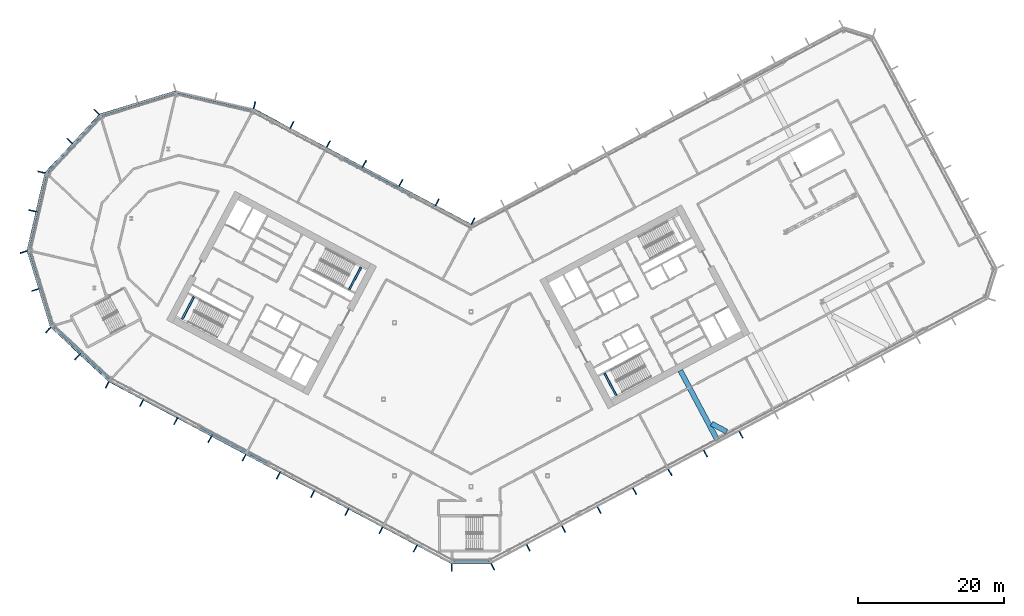
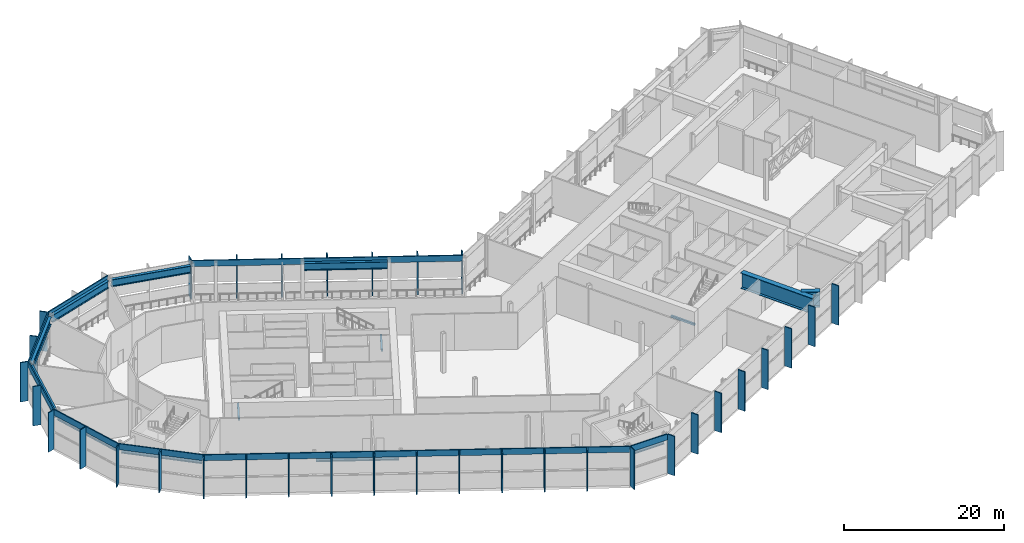
# One storey, part 7 of 33: 42 members, 14 beams, 10 elements without a shape of their own.
"""IFC4 building model written with IfcOpenShell, lengths in metres."""

import ifcopenshell
import ifcopenshell.guid

model = None  # the IFC model being written
_history = None  # IfcOwnerHistory: only IFC2X3 demands one
_inside = {}  # id of a spatial element -> (the spatial element, [elements in it])
_under = {}  # id of a project, library or spatial element -> (it, [spatial elements below it])
_declared = {}  # id of a project -> (the project, [libraries it declares])
_typed = {}  # id of a type object -> (the type object, [elements of that type])
_made_of = {}  # id of a material, layer set ... -> (it, [elements and type objects made of it])


def new_model(schema):
    """Start an empty IFC model of exactly this schema.

    Asked for "IFC4X3", IfcOpenShell would pick the latest addendum, in which some entities
    have other attributes; the version numbers below select the first issue.
    IFC2X3 requires an IfcOwnerHistory on every rooted entity: one is made here for all.
    """
    global model, _history
    if schema == "IFC4X3":
        model = ifcopenshell.file(schema_version=(4, 3, 0, 0))
    else:
        model = ifcopenshell.file(schema=schema)
    _inside.clear()
    _under.clear()
    _declared.clear()
    _typed.clear()
    _made_of.clear()
    _history = None
    if model.schema == "IFC2X3":
        org = make("IfcOrganization", Name="unknown")
        user = make(
            "IfcPersonAndOrganization",
            ThePerson=make("IfcPerson", FamilyName="unknown"),
            TheOrganization=org,
        )
        app = make(
            "IfcApplication",
            ApplicationDeveloper=org,
            Version="unknown",
            ApplicationFullName="unknown",
            ApplicationIdentifier="unknown",
        )
        _history = make(
            "IfcOwnerHistory",
            OwningUser=user,
            OwningApplication=app,
            ChangeAction="ADDED",
            CreationDate=0,
        )
    return model


def make(cls, **values):
    """One entity of the class cls with the attributes given. An attribute that is None is left unset."""
    return model.create_entity(
        cls, **{name: value for name, value in values.items() if value is not None}
    )


def rooted(cls, **values):
    """An entity with a GlobalId (a new one), such as an element, a storey or a relation."""
    return make(cls, GlobalId=ifcopenshell.guid.new(), OwnerHistory=_history, **values)


def si_unit(unit_type, name, prefix=None):
    """IfcSIUnit, for example si_unit("LENGTHUNIT", "METRE", prefix="MILLI")."""
    return make("IfcSIUnit", UnitType=unit_type, Prefix=prefix, Name=name)


def assignment(units):
    """IfcUnitAssignment: the units of a project."""
    return None if units is None else make("IfcUnitAssignment", Units=units)


def point(xyz):
    """IfcCartesianPoint."""
    return None if xyz is None else make("IfcCartesianPoint", Coordinates=xyz)


def direction(xyz):
    """IfcDirection."""
    return None if xyz is None else make("IfcDirection", DirectionRatios=xyz)


def frame(location, z_axis=None, x_axis=None):
    """IfcAxis2Placement3D, a coordinate frame: its origin and axes. An axis left out is left unset."""
    return make(
        "IfcAxis2Placement3D",
        Location=point(location),
        Axis=direction(z_axis),
        RefDirection=direction(x_axis),
    )


def frame_2d(location, x_axis=None):
    """IfcAxis2Placement2D, a coordinate frame in the plane: its origin and x axis."""
    return make(
        "IfcAxis2Placement2D", Location=point(location), RefDirection=direction(x_axis)
    )


def origin():
    """The frame at (0, 0, 0) with its axes left unset."""
    return frame((0.0, 0.0, 0.0))


def origin_2d():
    """The frame at (0, 0) in the plane with its x axis left unset."""
    return frame_2d((0.0, 0.0))


def place(relative_to, where):
    """IfcLocalPlacement: puts the frame where relative to a parent placement (None: the world)."""
    return make(
        "IfcLocalPlacement", PlacementRelTo=relative_to, RelativePlacement=where
    )


def context(
    kind, dimensions, precision=None, world=None, true_north=None, identifier=None
):
    """IfcGeometricRepresentationContext, for example the 3D "Model" context."""
    return make(
        "IfcGeometricRepresentationContext",
        ContextIdentifier=identifier,
        ContextType=kind,
        CoordinateSpaceDimension=dimensions,
        Precision=precision,
        WorldCoordinateSystem=world,
        TrueNorth=true_north,
    )


def subcontext(parent, identifier, kind, view, scale=None):
    """IfcGeometricRepresentationSubContext, for example "Body" below "Model"."""
    return make(
        "IfcGeometricRepresentationSubContext",
        ContextIdentifier=identifier,
        ContextType=kind,
        ParentContext=parent,
        TargetScale=scale,
        TargetView=view,
    )


def project(units=None, contexts=None):
    """IfcProject with its units and contexts."""
    return rooted(
        "IfcProject",
        Name="project",
        RepresentationContexts=contexts,
        UnitsInContext=assignment(units),
    )


def spatial(cls, under=None, at=None, **own):
    """A site, building, storey or space (cls), placed at a placement, below another one or the project."""
    s = rooted(cls, ObjectPlacement=at, **own)
    if under is not None:
        _under.setdefault(under.id(), (under, []))[1].append(s)
    return s


def profile(cls, at=None, kind="AREA", **sizes):
    """A parametric profile (cls). Its sizes go by their IFC names, for example OverallWidth=200.0."""
    return make(cls, ProfileType=kind, Position=at, **sizes)


def rectangle(**sizes):
    """IfcRectangleProfileDef."""
    return profile("IfcRectangleProfileDef", **sizes)


def i_section(**sizes):
    """IfcIShapeProfileDef."""
    return profile("IfcIShapeProfileDef", **sizes)


def extrude(swept, where, along, depth):
    """IfcExtrudedAreaSolid: the profile swept, set in the frame where, extruded along a direction by depth."""
    return make(
        "IfcExtrudedAreaSolid",
        SweptArea=swept,
        Position=where,
        ExtrudedDirection=direction(along),
        Depth=depth,
    )


def shape(context_of_items, identifier, shape_type, items):
    """IfcShapeRepresentation: the items that make up one representation, for example the "Body"."""
    return make(
        "IfcShapeRepresentation",
        ContextOfItems=context_of_items,
        RepresentationIdentifier=identifier,
        RepresentationType=shape_type,
        Items=items,
    )


def material(Name=None, Category=None):
    """IfcMaterial."""
    return make("IfcMaterial", Name=Name, Category=Category)


def layer(
    of_material, thickness, ventilated=None, Name=None, Category=None, Priority=None
):
    """IfcMaterialLayer: one layer of a wall or slab, of a material (None: an air gap)."""
    return make(
        "IfcMaterialLayer",
        Material=of_material,
        LayerThickness=thickness,
        IsVentilated=ventilated,
        Name=Name,
        Category=Category,
        Priority=Priority,
    )


def layer_set(layers, Name=None):
    """IfcMaterialLayerSet."""
    return make("IfcMaterialLayerSet", MaterialLayers=layers, LayerSetName=Name)


def material_profile(
    of_material, cross_section, Name=None, Category=None, Priority=None
):
    """IfcMaterialProfile: a cross section and its material."""
    return make(
        "IfcMaterialProfile",
        Name=Name,
        Material=of_material,
        Profile=cross_section,
        Priority=Priority,
        Category=Category,
    )


def profile_set(profiles, Name=None, composite=None):
    """IfcMaterialProfileSet."""
    return make(
        "IfcMaterialProfileSet",
        Name=Name,
        MaterialProfiles=profiles,
        CompositeProfile=composite,
    )


def made_of(thing, what):
    """Note that an element or type object is made of a material, layer set ...; save() writes the relation."""
    if what is not None:
        _made_of.setdefault(what.id(), (what, []))[1].append(thing)
    return thing


def type_object(cls, material=None, **own):
    """A type object (cls), such as IfcWallType, which elements share."""
    return made_of(rooted(cls, **own), material)


def element(
    cls,
    number,
    at=None,
    inside=None,
    cuts=None,
    type_object=None,
    material=None,
    context=None,
    identifier="Body",
    shape_type=None,
    held_by="IfcProductDefinitionShape",
    body=None,
    shapes=None,
    **own,
):
    """One element of the class cls, such as IfcWall. Its Tag is "e" and its number.

    at: its placement. inside: the storey or other place that contains it. cuts: it is an
    opening in that element (IfcRelVoidsElement). A single representation is given by context,
    identifier, shape_type and body (its items); several are given by shapes. held_by: the class
    of the entity that holds the representations. save() writes the other relations.
    """
    e = rooted(cls, Tag="e%d" % number, ObjectPlacement=at, **own)
    if body is not None:
        shapes = [shape(context, identifier, shape_type, body)]
    if shapes is not None:
        e.Representation = make(held_by, Representations=shapes)
    if inside is not None:
        _inside.setdefault(inside.id(), (inside, []))[1].append(e)
    if cuts is not None:
        rooted(
            "IfcRelVoidsElement", RelatingBuildingElement=cuts, RelatedOpeningElement=e
        )
    if type_object is not None:
        _typed.setdefault(type_object.id(), (type_object, []))[1].append(e)
    return made_of(e, material)


def aggregate(whole, parts):
    """IfcRelAggregates: a whole, such as a stair, and the parts it consists of."""
    return rooted("IfcRelAggregates", RelatingObject=whole, RelatedObjects=parts)


def save(model, path):
    """Write the relations noted so far, then the file.

    IfcRelAggregates (storeys below a building ...), IfcRelContainedInSpatialStructure (elements
    in a storey), IfcRelDefinesByType, IfcRelAssociatesMaterial and IfcRelDeclares: one each for
    every whole, place, type object, material and project.
    """
    for whole, parts in _under.values():
        aggregate(whole, parts)
    for where, things in _inside.values():
        rooted(
            "IfcRelContainedInSpatialStructure",
            RelatedElements=things,
            RelatingStructure=where,
        )
    for kind, things in _typed.values():
        rooted("IfcRelDefinesByType", RelatedObjects=things, RelatingType=kind)
    for what, things in _made_of.values():
        rooted("IfcRelAssociatesMaterial", RelatedObjects=things, RelatingMaterial=what)
    for by, libraries in _declared.values():
        rooted("IfcRelDeclares", RelatingContext=by, RelatedDefinitions=libraries)
    model.write(path)


model = new_model("IFC4")

# Units and contexts
model_context = context("Model", 3, precision=1e-05, world=origin(), true_north=direction((0.0, 1.0)))
body_context = subcontext(model_context, "Body", "Model", "MODEL_VIEW")
ifc_project = project(units=[si_unit("LENGTHUNIT", "METRE"), si_unit("AREAUNIT", "SQUARE_METRE"), si_unit("VOLUMEUNIT", "CUBIC_METRE"), si_unit("PLANEANGLEUNIT", "RADIAN"), si_unit("MASSUNIT", "GRAM", prefix="KILO")], contexts=[model_context])

# Site, building, storey
site_placement = place(None, origin())
site = spatial("IfcSite", under=ifc_project, at=site_placement, CompositionType="ELEMENT")
building_placement = place(site_placement, origin())
building = spatial("IfcBuilding", under=site, at=building_placement, Name="Cormorant Relay Tower", CompositionType="ELEMENT")
storey_placement = place(building_placement, frame((0.0, 0.0, 112.199951171875)))
storey = spatial("IfcBuildingStorey", under=building, at=storey_placement, Name="L22", CompositionType="ELEMENT", Elevation=112.199951171875)

# Curtain wall, member
ifc_material_1 = material(Name="Aluminium 6063-T6 anodised bronze", Category="aluminium")
ifc_layer = layer(ifc_material_1, 0.199951171875)
ifc_layer_set = layer_set([ifc_layer], Name="CW4 band louvre wall")
curtain_wall_type = type_object("IfcCurtainWallType", Name="CW4 band louvre wall", PredefinedType="NOTDEFINED", material=ifc_layer_set)
curtain_wall_1_placement = place(storey_placement, origin())
curtain_wall_1 = element("IfcCurtainWall", 1, at=curtain_wall_1_placement, inside=storey, type_object=curtain_wall_type, Name="CW4 curtain wall 1", PredefinedType="NOTDEFINED")
ifc_material_2 = material(Name="Aluminium 6063-T6 anodised bronze", Category="aluminium")
ifc_material_profile_1 = material_profile(ifc_material_2, rectangle(XDim=0.14990234375, YDim=1.0, at=origin_2d()), Name="AL 150x1000")
ifc_profile_set_1 = profile_set([ifc_material_profile_1], Name="Aluminium 6063-T6 anodised bronze")
member_type_1 = type_object("IfcMemberType", Name="CW4 bronze fin mullion 150 x 1000", PredefinedType="MULLION", material=ifc_profile_set_1)
member_1_placement = place(storey_placement, frame((-2.648681640625, -23.07568359375, 0.0), z_axis=(0.0, 0.0, 1.0), x_axis=(1.0, 0.0, 0.0)))
member_1 = element("IfcMember", 2, at=member_1_placement, type_object=member_type_1, Name="CW4 fin 1.1", PredefinedType="MULLION", context=body_context, shape_type="SweptSolid", body=[
    extrude(rectangle(XDim=0.14990234375, YDim=1.0, at=origin_2d()), origin(), (0.0, 0.0, 1.0), 6.0),
])

# Curtain wall, members
curtain_wall_2_placement = place(storey_placement, origin())
curtain_wall_2 = element("IfcCurtainWall", 3, at=curtain_wall_2_placement, inside=storey, type_object=curtain_wall_type, Name="CW4 curtain wall 2", PredefinedType="NOTDEFINED")
member_2_placement = place(storey_placement, frame((2.9775390625, -22.99365234375, 0.0), z_axis=(0.0, 0.0, 1.0), x_axis=(0.882947592859, 0.469471562786, 0.0)))
member_2 = element("IfcMember", 4, at=member_2_placement, type_object=member_type_1, Name="CW4 fin 2.1", PredefinedType="MULLION", context=body_context, shape_type="SweptSolid", body=[
    extrude(rectangle(XDim=0.14990234375, YDim=1.0, at=origin_2d()), origin(), (0.0, 0.0, 1.0), 6.0),
])
member_3_placement = place(storey_placement, frame((7.843994140625, -20.406005859375, 0.0), z_axis=(0.0, 0.0, 1.0), x_axis=(0.882947592859, 0.469471562786, 0.0)))
member_3 = element("IfcMember", 5, at=member_3_placement, type_object=member_type_1, Name="CW4 fin 2.2", PredefinedType="MULLION", context=body_context, shape_type="SweptSolid", body=[
    extrude(rectangle(XDim=0.14990234375, YDim=1.0, at=origin_2d()), origin(), (0.0, 0.0, 1.0), 6.0),
])
member_4_placement = place(storey_placement, frame((12.710693359375, -17.818359375, 0.0), z_axis=(0.0, 0.0, 1.0), x_axis=(0.882947592859, 0.469471562786, 0.0)))
member_4 = element("IfcMember", 6, at=member_4_placement, type_object=member_type_1, Name="CW4 fin 2.3", PredefinedType="MULLION", context=body_context, shape_type="SweptSolid", body=[
    extrude(rectangle(XDim=0.14990234375, YDim=1.0, at=origin_2d()), origin(), (0.0, 0.0, 1.0), 6.0),
])
member_5_placement = place(storey_placement, frame((17.577392578125, -15.230712890625, 0.0), z_axis=(0.0, 0.0, 1.0), x_axis=(0.882947592859, 0.469471562786, 0.0)))
member_5 = element("IfcMember", 7, at=member_5_placement, type_object=member_type_1, Name="CW4 fin 2.4", PredefinedType="MULLION", context=body_context, shape_type="SweptSolid", body=[
    extrude(rectangle(XDim=0.14990234375, YDim=1.0, at=origin_2d()), origin(), (0.0, 0.0, 1.0), 6.0),
])
member_6_placement = place(storey_placement, frame((22.444091796875, -12.64306640625, 0.0), z_axis=(0.0, 0.0, 1.0), x_axis=(0.882947592859, 0.469471562786, 0.0)))
member_6 = element("IfcMember", 8, at=member_6_placement, type_object=member_type_1, Name="CW4 fin 2.5", PredefinedType="MULLION", context=body_context, shape_type="SweptSolid", body=[
    extrude(rectangle(XDim=0.14990234375, YDim=1.0, at=origin_2d()), origin(), (0.0, 0.0, 1.0), 6.0),
])
member_7_placement = place(storey_placement, frame((27.310791015625, -10.055419921875, 0.0), z_axis=(0.0, 0.0, 1.0), x_axis=(0.882947592859, 0.469471562786, 0.0)))
member_7 = element("IfcMember", 9, at=member_7_placement, type_object=member_type_1, Name="CW4 fin 2.6", PredefinedType="MULLION", context=body_context, shape_type="SweptSolid", body=[
    extrude(rectangle(XDim=0.14990234375, YDim=1.0, at=origin_2d()), origin(), (0.0, 0.0, 1.0), 6.0),
])
member_8_placement = place(storey_placement, frame((32.177490234375, -7.4677734375, 0.0), z_axis=(0.0, 0.0, 1.0), x_axis=(0.882947592859, 0.469471562786, 0.0)))
member_8 = element("IfcMember", 10, at=member_8_placement, type_object=member_type_1, Name="CW4 fin 2.7", PredefinedType="MULLION", context=body_context, shape_type="SweptSolid", body=[
    extrude(rectangle(XDim=0.14990234375, YDim=1.0, at=origin_2d()), origin(), (0.0, 0.0, 1.0), 6.0),
])
member_9_placement = place(storey_placement, frame((37.044189453125, -4.8798828125, 0.0), z_axis=(0.0, 0.0, 1.0), x_axis=(0.882947592859, 0.469471562786, 0.0)))
member_9 = element("IfcMember", 11, at=member_9_placement, type_object=member_type_1, Name="CW4 fin 2.8", PredefinedType="MULLION", context=body_context, shape_type="SweptSolid", body=[
    extrude(rectangle(XDim=0.14990234375, YDim=1.0, at=origin_2d()), origin(), (0.0, 0.0, 1.0), 6.0),
])
aggregate(curtain_wall_2, [member_2, member_3, member_4, member_5, member_6, member_7, member_8, member_9])

curtain_wall_3_placement = place(storey_placement, origin())
curtain_wall_3 = element("IfcCurtainWall", 12, at=curtain_wall_3_placement, inside=storey, type_object=curtain_wall_type, Name="CW4 curtain wall 7", PredefinedType="NOTDEFINED")
member_10_placement = place(storey_placement, frame((0.262451171875, 24.437255859375, 0.0), z_axis=(0.0, 0.0, 1.0), x_axis=(-0.882947592859, 0.469471562786, 0.0)))
member_10 = element("IfcMember", 13, at=member_10_placement, type_object=member_type_1, Name="CW4 fin 7.1", PredefinedType="MULLION", context=body_context, shape_type="SweptSolid", body=[
    extrude(rectangle(XDim=0.14990234375, YDim=1.0, at=origin_2d()), origin(), (0.0, 0.0, 1.0), 6.0),
])
member_11_placement = place(storey_placement, frame((-4.650390625, 27.04931640625, 0.0), z_axis=(0.0, 0.0, 1.0), x_axis=(-0.882947592859, 0.469471562786, 0.0)))
member_11 = element("IfcMember", 14, at=member_11_placement, type_object=member_type_1, Name="CW4 fin 7.2", PredefinedType="MULLION", context=body_context, shape_type="SweptSolid", body=[
    extrude(rectangle(XDim=0.14990234375, YDim=1.0, at=origin_2d()), origin(), (0.0, 0.0, 1.0), 6.0),
])
member_12_placement = place(storey_placement, frame((-9.62939453125, 29.69677734375, 0.0), z_axis=(0.0, 0.0, 1.0), x_axis=(-0.882947592859, 0.469471562786, 0.0)))
member_12 = element("IfcMember", 15, at=member_12_placement, type_object=member_type_1, Name="CW4 fin 7.3", PredefinedType="MULLION", context=body_context, shape_type="SweptSolid", body=[
    extrude(rectangle(XDim=0.14990234375, YDim=1.0, at=origin_2d()), origin(), (0.0, 0.0, 1.0), 6.0),
])
member_13_placement = place(storey_placement, frame((-14.608154296875, 32.343994140625, 0.0), z_axis=(0.0, 0.0, 1.0), x_axis=(-0.882947592859, 0.469471562786, 0.0)))
member_13 = element("IfcMember", 16, at=member_13_placement, type_object=member_type_1, Name="CW4 fin 7.4", PredefinedType="MULLION", context=body_context, shape_type="SweptSolid", body=[
    extrude(rectangle(XDim=0.14990234375, YDim=1.0, at=origin_2d()), origin(), (0.0, 0.0, 1.0), 6.0),
])
member_14_placement = place(storey_placement, frame((-19.587158203125, 34.991455078125, 0.0), z_axis=(0.0, 0.0, 1.0), x_axis=(-0.882947592859, 0.469471562786, 0.0)))
member_14 = element("IfcMember", 17, at=member_14_placement, type_object=member_type_1, Name="CW4 fin 7.5", PredefinedType="MULLION", context=body_context, shape_type="SweptSolid", body=[
    extrude(rectangle(XDim=0.14990234375, YDim=1.0, at=origin_2d()), origin(), (0.0, 0.0, 1.0), 6.0),
])
member_15_placement = place(storey_placement, frame((-24.566162109375, 37.638916015625, 0.0), z_axis=(0.0, 0.0, 1.0), x_axis=(-0.882947592859, 0.469471562786, 0.0)))
member_15 = element("IfcMember", 18, at=member_15_placement, type_object=member_type_1, Name="CW4 fin 7.6", PredefinedType="MULLION", context=body_context, shape_type="SweptSolid", body=[
    extrude(rectangle(XDim=0.14990234375, YDim=1.0, at=origin_2d()), origin(), (0.0, 0.0, 1.0), 6.0),
])

# Curtain wall, member
curtain_wall_4_placement = place(storey_placement, origin())
curtain_wall_4 = element("IfcCurtainWall", 19, at=curtain_wall_4_placement, inside=storey, type_object=curtain_wall_type, Name="CW4 curtain wall 8", PredefinedType="NOTDEFINED")
member_16_placement = place(storey_placement, frame((-29.71630859375, 40.35009765625, 0.0), z_axis=(0.0, 0.0, 1.0), x_axis=(-0.974370064785, 0.224951054344, 0.0)))
member_16 = element("IfcMember", 20, at=member_16_placement, type_object=member_type_1, Name="CW4 fin 8.1", PredefinedType="MULLION", context=body_context, shape_type="SweptSolid", body=[
    extrude(rectangle(XDim=0.14990234375, YDim=1.0, at=origin_2d()), origin(), (0.0, 0.0, 1.0), 6.0),
])
aggregate(curtain_wall_4, [member_16])

# Curtain wall, members
curtain_wall_5_placement = place(storey_placement, origin())
curtain_wall_5 = element("IfcCurtainWall", 21, at=curtain_wall_5_placement, inside=storey, type_object=curtain_wall_type, Name="CW4 curtain wall 10", PredefinedType="NOTDEFINED")
member_17_placement = place(storey_placement, frame((-51.372802734375, 39.41259765625, 0.0), z_axis=(0.0, 0.0, 1.0), x_axis=(-0.681998360062, -0.731353701619, 0.0)))
member_17 = element("IfcMember", 22, at=member_17_placement, type_object=member_type_1, Name="CW4 fin 10.1", PredefinedType="MULLION", context=body_context, shape_type="SweptSolid", body=[
    extrude(rectangle(XDim=0.14990234375, YDim=1.0, at=origin_2d()), origin(), (0.0, 0.0, 1.0), 6.0),
])
member_18_placement = place(storey_placement, frame((-55.07958984375, 35.4375, 0.0), z_axis=(0.0, 0.0, 1.0), x_axis=(-0.681998360062, -0.731353701619, 0.0)))
member_18 = element("IfcMember", 23, at=member_18_placement, type_object=member_type_1, Name="CW4 fin 10.2", PredefinedType="MULLION", context=body_context, shape_type="SweptSolid", body=[
    extrude(rectangle(XDim=0.14990234375, YDim=1.0, at=origin_2d()), origin(), (0.0, 0.0, 1.0), 6.0),
])

curtain_wall_6_placement = place(storey_placement, origin())
curtain_wall_6 = element("IfcCurtainWall", 24, at=curtain_wall_6_placement, inside=storey, type_object=curtain_wall_type, Name="CW4 curtain wall 11", PredefinedType="NOTDEFINED")
member_19_placement = place(storey_placement, frame((-58.95654296875, 31.142578125, 0.0), z_axis=(0.0, 0.0, 1.0), x_axis=(-0.224951054344, -0.974370064785, 0.0)))
member_19 = element("IfcMember", 25, at=member_19_placement, type_object=member_type_1, Name="CW4 fin 11.1", PredefinedType="MULLION", context=body_context, shape_type="SweptSolid", body=[
    extrude(rectangle(XDim=0.14990234375, YDim=1.0, at=origin_2d()), origin(), (0.0, 0.0, 1.0), 6.0),
])
member_20_placement = place(storey_placement, frame((-60.17919921875, 25.8466796875, 0.0), z_axis=(0.0, 0.0, 1.0), x_axis=(-0.224951054344, -0.974370064785, 0.0)))
member_20 = element("IfcMember", 26, at=member_20_placement, type_object=member_type_1, Name="CW4 fin 11.2", PredefinedType="MULLION", context=body_context, shape_type="SweptSolid", body=[
    extrude(rectangle(XDim=0.14990234375, YDim=1.0, at=origin_2d()), origin(), (0.0, 0.0, 1.0), 6.0),
])

curtain_wall_7_placement = place(storey_placement, origin())
curtain_wall_7 = element("IfcCurtainWall", 27, at=curtain_wall_7_placement, inside=storey, type_object=curtain_wall_type, Name="CW4 curtain wall 12", PredefinedType="NOTDEFINED")
member_21_placement = place(storey_placement, frame((-61.389404296875, 20.188720703125, 0.0), z_axis=(0.0, 0.0, 1.0), x_axis=(0.292371704723, -0.956304755963, 0.0)))
member_21 = element("IfcMember", 28, at=member_21_placement, type_object=member_type_1, Name="CW4 fin 12.1", PredefinedType="MULLION", context=body_context, shape_type="SweptSolid", body=[
    extrude(rectangle(XDim=0.14990234375, YDim=1.0, at=origin_2d()), origin(), (0.0, 0.0, 1.0), 6.0),
])
member_22_placement = place(storey_placement, frame((-59.80029296875, 14.990966796875, 0.0), z_axis=(0.0, 0.0, 1.0), x_axis=(0.292371704723, -0.956304755963, 0.0)))
member_22 = element("IfcMember", 29, at=member_22_placement, type_object=member_type_1, Name="CW4 fin 12.2", PredefinedType="MULLION", context=body_context, shape_type="SweptSolid", body=[
    extrude(rectangle(XDim=0.14990234375, YDim=1.0, at=origin_2d()), origin(), (0.0, 0.0, 1.0), 6.0),
])

curtain_wall_8_placement = place(storey_placement, origin())
curtain_wall_8 = element("IfcCurtainWall", 30, at=curtain_wall_8_placement, inside=storey, type_object=curtain_wall_type, Name="CW4 curtain wall 13", PredefinedType="NOTDEFINED")
member_23_placement = place(storey_placement, frame((-58.01904296875, 9.486083984375, 0.0), z_axis=(0.0, 0.0, 1.0), x_axis=(0.731353701619, -0.681998360062, 0.0)))
member_23 = element("IfcMember", 31, at=member_23_placement, type_object=member_type_1, Name="CW4 fin 13.1", PredefinedType="MULLION", context=body_context, shape_type="SweptSolid", body=[
    extrude(rectangle(XDim=0.14990234375, YDim=1.0, at=origin_2d()), origin(), (0.0, 0.0, 1.0), 6.0),
])
member_24_placement = place(storey_placement, frame((-54.0439453125, 5.779296875, 0.0), z_axis=(0.0, 0.0, 1.0), x_axis=(0.731353701619, -0.681998360062, 0.0)))
member_24 = element("IfcMember", 32, at=member_24_placement, type_object=member_type_1, Name="CW4 fin 13.2", PredefinedType="MULLION", context=body_context, shape_type="SweptSolid", body=[
    extrude(rectangle(XDim=0.14990234375, YDim=1.0, at=origin_2d()), origin(), (0.0, 0.0, 1.0), 6.0),
])

curtain_wall_9_placement = place(storey_placement, origin())
curtain_wall_9 = element("IfcCurtainWall", 33, at=curtain_wall_9_placement, inside=storey, type_object=curtain_wall_type, Name="CW4 curtain wall 14", PredefinedType="NOTDEFINED")
member_25_placement = place(storey_placement, frame((-49.920166015625, 1.96630859375, 0.0), z_axis=(0.0, 0.0, 1.0), x_axis=(0.882947592859, -0.469471562786, 0.0)))
member_25 = element("IfcMember", 34, at=member_25_placement, type_object=member_type_1, Name="CW4 fin 14.1", PredefinedType="MULLION", context=body_context, shape_type="SweptSolid", body=[
    extrude(rectangle(XDim=0.14990234375, YDim=1.0, at=origin_2d()), origin(), (0.0, 0.0, 1.0), 6.0),
])
member_26_placement = place(storey_placement, frame((-45.225830078125, -0.52978515625, 0.0), z_axis=(0.0, 0.0, 1.0), x_axis=(0.882947592859, -0.469471562786, 0.0)))
member_26 = element("IfcMember", 35, at=member_26_placement, type_object=member_type_1, Name="CW4 fin 14.2", PredefinedType="MULLION", context=body_context, shape_type="SweptSolid", body=[
    extrude(rectangle(XDim=0.14990234375, YDim=1.0, at=origin_2d()), origin(), (0.0, 0.0, 1.0), 6.0),
])
member_27_placement = place(storey_placement, frame((-40.531494140625, -3.025634765625, 0.0), z_axis=(0.0, 0.0, 1.0), x_axis=(0.882947592859, -0.469471562786, 0.0)))
member_27 = element("IfcMember", 36, at=member_27_placement, type_object=member_type_1, Name="CW4 fin 14.3", PredefinedType="MULLION", context=body_context, shape_type="SweptSolid", body=[
    extrude(rectangle(XDim=0.14990234375, YDim=1.0, at=origin_2d()), origin(), (0.0, 0.0, 1.0), 6.0),
])
member_28_placement = place(storey_placement, frame((-35.83740234375, -5.521728515625, 0.0), z_axis=(0.0, 0.0, 1.0), x_axis=(0.882947592859, -0.469471562786, 0.0)))
member_28 = element("IfcMember", 37, at=member_28_placement, type_object=member_type_1, Name="CW4 fin 14.4", PredefinedType="MULLION", context=body_context, shape_type="SweptSolid", body=[
    extrude(rectangle(XDim=0.14990234375, YDim=1.0, at=origin_2d()), origin(), (0.0, 0.0, 1.0), 6.0),
])
member_29_placement = place(storey_placement, frame((-31.14306640625, -8.017578125, 0.0), z_axis=(0.0, 0.0, 1.0), x_axis=(0.882947592859, -0.469471562786, 0.0)))
member_29 = element("IfcMember", 38, at=member_29_placement, type_object=member_type_1, Name="CW4 fin 14.5", PredefinedType="MULLION", context=body_context, shape_type="SweptSolid", body=[
    extrude(rectangle(XDim=0.14990234375, YDim=1.0, at=origin_2d()), origin(), (0.0, 0.0, 1.0), 6.0),
])
member_30_placement = place(storey_placement, frame((-26.44873046875, -10.513671875, 0.0), z_axis=(0.0, 0.0, 1.0), x_axis=(0.882947592859, -0.469471562786, 0.0)))
member_30 = element("IfcMember", 39, at=member_30_placement, type_object=member_type_1, Name="CW4 fin 14.6", PredefinedType="MULLION", context=body_context, shape_type="SweptSolid", body=[
    extrude(rectangle(XDim=0.14990234375, YDim=1.0, at=origin_2d()), origin(), (0.0, 0.0, 1.0), 6.0),
])
member_31_placement = place(storey_placement, frame((-21.754638671875, -13.009765625, 0.0), z_axis=(0.0, 0.0, 1.0), x_axis=(0.882947592859, -0.469471562786, 0.0)))
member_31 = element("IfcMember", 40, at=member_31_placement, type_object=member_type_1, Name="CW4 fin 14.7", PredefinedType="MULLION", context=body_context, shape_type="SweptSolid", body=[
    extrude(rectangle(XDim=0.14990234375, YDim=1.0, at=origin_2d()), origin(), (0.0, 0.0, 1.0), 6.0),
])
member_32_placement = place(storey_placement, frame((-17.060302734375, -15.505615234375, 0.0), z_axis=(0.0, 0.0, 1.0), x_axis=(0.882947592859, -0.469471562786, 0.0)))
member_32 = element("IfcMember", 41, at=member_32_placement, type_object=member_type_1, Name="CW4 fin 14.8", PredefinedType="MULLION", context=body_context, shape_type="SweptSolid", body=[
    extrude(rectangle(XDim=0.14990234375, YDim=1.0, at=origin_2d()), origin(), (0.0, 0.0, 1.0), 6.0),
])
member_33_placement = place(storey_placement, frame((-12.365966796875, -18.001708984375, 0.0), z_axis=(0.0, 0.0, 1.0), x_axis=(0.882947592859, -0.469471562786, 0.0)))
member_33 = element("IfcMember", 42, at=member_33_placement, type_object=member_type_1, Name="CW4 fin 14.9", PredefinedType="MULLION", context=body_context, shape_type="SweptSolid", body=[
    extrude(rectangle(XDim=0.14990234375, YDim=1.0, at=origin_2d()), origin(), (0.0, 0.0, 1.0), 6.0),
])
member_34_placement = place(storey_placement, frame((-7.671630859375, -20.49755859375, 0.0), z_axis=(0.0, 0.0, 1.0), x_axis=(0.882947592859, -0.469471562786, 0.0)))
member_34 = element("IfcMember", 43, at=member_34_placement, type_object=member_type_1, Name="CW4 fin 14.10", PredefinedType="MULLION", context=body_context, shape_type="SweptSolid", body=[
    extrude(rectangle(XDim=0.14990234375, YDim=1.0, at=origin_2d()), origin(), (0.0, 0.0, 1.0), 6.0),
])

# Member
ifc_material_3 = material(Name="Aluminium 6063-T6 anodised bronze", Category="aluminium")
ifc_material_profile_2 = material_profile(ifc_material_3, rectangle(XDim=0.159912109375, YDim=0.89990234375, at=origin_2d()), Name="AL 160x900")
ifc_profile_set_2 = profile_set([ifc_material_profile_2], Name="Aluminium 6063-T6 anodised bronze")
member_type_2 = type_object("IfcMemberType", Name="CW4 bronze transom 160 x 900", PredefinedType="USERDEFINED", material=ifc_profile_set_2)
member_35_placement = place(storey_placement, frame((-2.648681640625, -22.49560546875, 5.550048828125), z_axis=(1.0, 0.0, 0.0), x_axis=(0.0, 1.0, 0.0)))
member_35 = element("IfcMember", 44, at=member_35_placement, type_object=member_type_2, Name="CW4 transom 1", ObjectType="TRANSOM", PredefinedType="USERDEFINED", context=body_context, shape_type="SweptSolid", body=[
    extrude(rectangle(XDim=0.159912109375, YDim=0.89990234375, at=origin_2d()), origin(), (0.0, 0.0, 1.0), 5.29736328125),
])

aggregate(curtain_wall_1, [member_1, member_35])

member_36_placement = place(storey_placement, frame((0.056396484375, 23.889892578125, 5.550048828125), z_axis=(-0.882946280328, 0.46947403129, 0.0), x_axis=(-0.46947403129, -0.882946280328, 0.0)))
member_36 = element("IfcMember", 45, at=member_36_placement, type_object=member_type_2, Name="CW4 transom 7", ObjectType="TRANSOM", PredefinedType="USERDEFINED", context=body_context, shape_type="SweptSolid", body=[
    extrude(rectangle(XDim=0.159912109375, YDim=0.89990234375, at=origin_2d()), origin(), (0.0, 0.0, 1.0), 33.834228515625),
])

aggregate(curtain_wall_3, [member_10, member_11, member_12, member_13, member_14, member_15, member_36])

# Curtain wall, member
curtain_wall_10_placement = place(storey_placement, origin())
curtain_wall_10 = element("IfcCurtainWall", 46, at=curtain_wall_10_placement, inside=storey, type_object=curtain_wall_type, Name="CW4 curtain wall 9", PredefinedType="NOTDEFINED")
member_37_placement = place(storey_placement, frame((-40.50048828125, 42.228271484375, 5.550048828125), z_axis=(-0.956304833932, -0.292371449698, 0.0), x_axis=(0.292371449698, -0.956304833932, 0.0)))
member_37 = element("IfcMember", 47, at=member_37_placement, type_object=member_type_2, Name="CW4 transom 9", ObjectType="TRANSOM", PredefinedType="USERDEFINED", context=body_context, shape_type="SweptSolid", body=[
    extrude(rectangle(XDim=0.159912109375, YDim=0.89990234375, at=origin_2d()), origin(), (0.0, 0.0, 1.0), 10.87060546875),
])
aggregate(curtain_wall_10, [member_37])

# Member
member_38_placement = place(storey_placement, frame((-50.94873046875, 39.01708984375, 5.550048828125), z_axis=(-0.681993299437, -0.731358420696, 0.0), x_axis=(0.731358420696, -0.681993299437, 0.0)))
member_38 = element("IfcMember", 48, at=member_38_placement, type_object=member_type_2, Name="CW4 transom 10", ObjectType="TRANSOM", PredefinedType="USERDEFINED", context=body_context, shape_type="SweptSolid", body=[
    extrude(rectangle(XDim=0.159912109375, YDim=0.89990234375, at=origin_2d()), origin(), (0.0, 0.0, 1.0), 10.870361328125),
])

aggregate(curtain_wall_5, [member_17, member_18, member_38])

member_39_placement = place(storey_placement, frame((-58.3916015625, 31.01220703125, 5.550048828125), z_axis=(-0.22495136131, -0.974369993916, 0.0), x_axis=(0.974369993916, -0.22495136131, 0.0)))
member_39 = element("IfcMember", 49, at=member_39_placement, type_object=member_type_2, Name="CW4 transom 11", ObjectType="TRANSOM", PredefinedType="USERDEFINED", context=body_context, shape_type="SweptSolid", body=[
    extrude(rectangle(XDim=0.159912109375, YDim=0.89990234375, at=origin_2d()), origin(), (0.0, 0.0, 1.0), 10.870361328125),
])

aggregate(curtain_wall_6, [member_19, member_20, member_39])

member_40_placement = place(storey_placement, frame((-60.834716796875, 20.358154296875, 5.550048828125), z_axis=(0.292377729282, -0.95630291405, 0.0), x_axis=(0.95630291405, 0.292377729282, 0.0)))
member_40 = element("IfcMember", 50, at=member_40_placement, type_object=member_type_2, Name="CW4 transom 12", ObjectType="TRANSOM", PredefinedType="USERDEFINED", context=body_context, shape_type="SweptSolid", body=[
    extrude(rectangle(XDim=0.159912109375, YDim=0.89990234375, at=origin_2d()), origin(), (0.0, 0.0, 1.0), 10.870361328125),
])

aggregate(curtain_wall_7, [member_21, member_22, member_40])

member_41_placement = place(storey_placement, frame((-57.62353515625, 9.91015625, 5.550048828125), z_axis=(0.731358420696, -0.681993299437, 0.0), x_axis=(0.681993299437, 0.731358420696, 0.0)))
member_41 = element("IfcMember", 51, at=member_41_placement, type_object=member_type_2, Name="CW4 transom 13", ObjectType="TRANSOM", PredefinedType="USERDEFINED", context=body_context, shape_type="SweptSolid", body=[
    extrude(rectangle(XDim=0.159912109375, YDim=0.89990234375, at=origin_2d()), origin(), (0.0, 0.0, 1.0), 10.870361328125),
])

aggregate(curtain_wall_8, [member_23, member_24, member_41])

member_42_placement = place(storey_placement, frame((-49.64794921875, 2.478515625, 5.550048828125), z_axis=(0.882947642542, -0.469471469346, 0.0), x_axis=(0.469471469346, 0.882947642542, 0.0)))
member_42 = element("IfcMember", 52, at=member_42_placement, type_object=member_type_2, Name="CW4 transom 14", ObjectType="TRANSOM", PredefinedType="USERDEFINED", context=body_context, shape_type="SweptSolid", body=[
    extrude(rectangle(XDim=0.159912109375, YDim=0.89990234375, at=origin_2d()), origin(), (0.0, 0.0, 1.0), 53.166015625),
])

aggregate(curtain_wall_9, [member_25, member_26, member_27, member_28, member_29, member_30, member_31, member_32, member_33, member_34, member_42])

# Beams
ifc_material_4 = material(Name="Steel ASTM A992 (Fy 345 MPa)", Category="steel")
ifc_material_profile_3 = material_profile(ifc_material_4, i_section(OverallWidth=0.40380859375, OverallDepth=1.11767578125, WebThickness=0.026123046875, FlangeThickness=0.044921875, FilletRadius=0.02001953125, at=origin_2d()), Name="W1100x499")
ifc_profile_set_3 = profile_set([ifc_material_profile_3], Name="Steel ASTM A992 (Fy 345 MPa)")
beam_type_1 = type_object("IfcBeamType", Name="Spandrel W1100x499", PredefinedType="SPANDREL", material=ifc_profile_set_3)
beam_1_placement = place(storey_placement, frame((-2.3486328125, -22.173583984375, 4.9912109375), z_axis=(1.0, 0.0, 0.0), x_axis=(0.0, 1.0, 0.0)))
element("IfcBeam", 53, at=beam_1_placement, inside=storey, type_object=beam_type_1, Name="Spandrel beam L22-001", PredefinedType="SPANDREL", context=body_context, shape_type="SweptSolid", body=[
    extrude(i_section(OverallWidth=0.40380859375, OverallDepth=1.11767578125, WebThickness=0.026123046875, FlangeThickness=0.044921875, FilletRadius=0.02001953125, at=origin_2d()), origin(), (0.0, 0.0, 1.0), 4.736083984375),
])
beam_2_placement = place(storey_placement, frame((-8.435302734375, 28.040283203125, 4.9912109375), z_axis=(-0.882946891921, 0.469472881056, 0.0), x_axis=(-0.469472881056, -0.882946891921, 0.0)))
element("IfcBeam", 54, at=beam_2_placement, inside=storey, type_object=beam_type_1, Name="Spandrel beam L22-006", PredefinedType="SPANDREL", context=body_context, shape_type="SweptSolid", body=[
    extrude(i_section(OverallWidth=0.40380859375, OverallDepth=1.11767578125, WebThickness=0.026123046875, FlangeThickness=0.044921875, FilletRadius=0.02001953125, at=origin_2d()), origin(), (0.0, 0.0, 1.0), 10.376220703125),
])
beam_3_placement = place(storey_placement, frame((-30.171142578125, 39.529541015625, 4.9912109375), z_axis=(-0.974368523335, 0.224957730996, 0.0), x_axis=(-0.224957730996, -0.974368523335, 0.0)))
element("IfcBeam", 55, at=beam_3_placement, inside=storey, type_object=beam_type_1, Name="Spandrel beam L22-007", PredefinedType="SPANDREL", context=body_context, shape_type="SweptSolid", body=[
    extrude(i_section(OverallWidth=0.40380859375, OverallDepth=1.11767578125, WebThickness=0.026123046875, FlangeThickness=0.044921875, FilletRadius=0.02001953125, at=origin_2d()), origin(), (0.0, 0.0, 1.0), 10.346923828125),
])
beam_4_placement = place(storey_placement, frame((-40.70166015625, 41.830078125, 4.9912109375), z_axis=(-0.956304442866, -0.292372728814, 0.0), x_axis=(0.292372728814, -0.956304442866, 0.0)))
element("IfcBeam", 56, at=beam_4_placement, inside=storey, type_object=beam_type_1, Name="Spandrel beam L22-008", PredefinedType="SPANDREL", context=body_context, shape_type="SweptSolid", body=[
    extrude(i_section(OverallWidth=0.40380859375, OverallDepth=1.11767578125, WebThickness=0.026123046875, FlangeThickness=0.044921875, FilletRadius=0.02001953125, at=origin_2d()), origin(), (0.0, 0.0, 1.0), 10.297607421875),
])
for number, where, z_axis, x_axis, name in (
    (57, (-50.924072265625, 38.571533203125, 4.9912109375), (-0.681993790146, -0.731357963108, 0.0), (0.731357963108, -0.681993790146, 0.0), "Spandrel beam L22-009"),
    (58, (-58.147216796875, 30.638671875, 4.9912109375), (-0.224939161738, -0.974372810333, 0.0), (0.974372810333, -0.224939161738, 0.0), "Spandrel beam L22-010"),
):
    element("IfcBeam", number, at=place(storey_placement, frame(where, z_axis=z_axis, x_axis=x_axis)), inside=storey, type_object=beam_type_1, Name=name, PredefinedType="SPANDREL", context=body_context, shape_type="SweptSolid", body=[
        extrude(i_section(OverallWidth=0.40380859375, OverallDepth=1.11767578125, WebThickness=0.026123046875, FlangeThickness=0.044921875, FilletRadius=0.02001953125, at=origin_2d()), origin(), (0.0, 0.0, 1.0), 10.296875),
    ])
beam_5_placement = place(storey_placement, frame((-60.4365234375, 20.1572265625, 4.9912109375), z_axis=(0.292372728814, -0.956304442866, 0.0), x_axis=(0.956304442866, 0.292372728814, 0.0)))
element("IfcBeam", 59, at=beam_5_placement, inside=storey, type_object=beam_type_1, Name="Spandrel beam L22-011", PredefinedType="SPANDREL", context=body_context, shape_type="SweptSolid", body=[
    extrude(i_section(OverallWidth=0.40380859375, OverallDepth=1.11767578125, WebThickness=0.026123046875, FlangeThickness=0.044921875, FilletRadius=0.02001953125, at=origin_2d()), origin(), (0.0, 0.0, 1.0), 10.297607421875),
])
beam_6_placement = place(storey_placement, frame((-57.177734375, 9.934814453125, 4.9912109375), z_axis=(0.731345431457, -0.682007228617, 0.0), x_axis=(0.682007228617, 0.731345431457, 0.0)))
element("IfcBeam", 60, at=beam_6_placement, inside=storey, type_object=beam_type_1, Name="Spandrel beam L22-012", PredefinedType="SPANDREL", context=body_context, shape_type="SweptSolid", body=[
    extrude(i_section(OverallWidth=0.40380859375, OverallDepth=1.11767578125, WebThickness=0.026123046875, FlangeThickness=0.044921875, FilletRadius=0.02001953125, at=origin_2d()), origin(), (0.0, 0.0, 1.0), 10.322265625),
])
beam_7_placement = place(storey_placement, frame((-37.124755859375, -3.815673828125, 4.9912109375), z_axis=(0.882946891921, -0.469472881056, 0.0), x_axis=(0.469472881056, 0.882946891921, 0.0)))
element("IfcBeam", 61, at=beam_7_placement, inside=storey, type_object=beam_type_1, Name="Spandrel beam L22-013", PredefinedType="SPANDREL", context=body_context, shape_type="SweptSolid", body=[
    extrude(i_section(OverallWidth=0.40380859375, OverallDepth=1.11767578125, WebThickness=0.026123046875, FlangeThickness=0.044921875, FilletRadius=0.02001953125, at=origin_2d()), origin(), (0.0, 0.0, 1.0), 10.376220703125),
])
ifc_material_5 = material(Name="Concrete 50 MPa", Category="concrete")
ifc_material_profile_4 = material_profile(ifc_material_5, rectangle(XDim=0.25, YDim=0.300048828125, at=origin_2d()), Name="RC 250x300")
ifc_profile_set_4 = profile_set([ifc_material_profile_4], Name="Concrete 50 MPa")
beam_type_2 = type_object("IfcBeamType", Name="Stair landing ledge beam 250x300", PredefinedType="BEAM", material=ifc_profile_set_4)
for number, where, z_axis, x_axis, name in (
    (62, (-16.720458984375, 15.06298828125, 2.650146484375), (0.469463917486, 0.882951657895, 0.0), (-0.882951657895, 0.469463917486, 0.0), "A1 landing ledge beam"),
    (63, (-38.022216796875, 14.044189453125, 2.650146484375), (-0.469463917486, -0.882951657895, 0.0), (0.882951657895, -0.469463917486, 0.0), "A2 landing ledge beam"),
    (64, (18.305908203125, 3.56103515625, 2.650146484375), (0.469519084434, -0.88292232351, 0.0), (0.88292232351, 0.469519084434, 0.0), "B1 landing ledge beam"),
):
    element("IfcBeam", number, at=place(storey_placement, frame(where, z_axis=z_axis, x_axis=x_axis)), inside=storey, type_object=beam_type_2, Name=name, PredefinedType="BEAM", context=body_context, shape_type="SweptSolid", body=[
        extrude(rectangle(XDim=0.25, YDim=0.300048828125, at=origin_2d()), origin(), (0.0, 0.0, 1.0), 3.449951171875),
    ])
ifc_material_6 = material(Name="Steel ASTM A572 Grade 50 (Fy 345 MPa)", Category="steel")
ifc_material_profile_5 = material_profile(ifc_material_6, i_section(OverallWidth=0.699951171875, OverallDepth=2.39990234375, WebThickness=0.030029296875, FlangeThickness=0.070068359375, at=origin_2d()), Name="PG2400x700")
ifc_profile_set_5 = profile_set([ifc_material_profile_5], Name="Steel ASTM A572 Grade 50 (Fy 345 MPa)")
beam_type_3 = type_object("IfcBeamType", Name="Transfer girder PG2400x700", PredefinedType="BEAM", material=ifc_profile_set_5)
beam_8_placement = place(storey_placement, frame((33.650390625, -5.350341796875, 4.35009765625), z_axis=(-0.469459430417, 0.882954043647, 0.0), x_axis=(-0.882954043647, -0.469459430417, 0.0)))
element("IfcBeam", 65, at=beam_8_placement, inside=storey, type_object=beam_type_3, Name="Transfer girder L22-01", PredefinedType="BEAM", context=body_context, shape_type="SweptSolid", body=[
    extrude(i_section(OverallWidth=0.699951171875, OverallDepth=2.39990234375, WebThickness=0.030029296875, FlangeThickness=0.070068359375, at=origin_2d()), origin(), (0.0, 0.0, 1.0), 10.522216796875),
])
beam_9_placement = place(storey_placement, frame((35.072509765625, -4.45556640625, 4.35009765625), z_axis=(-0.882981311407, 0.469408141925, 0.0), x_axis=(-0.469408141925, -0.882981311407, 0.0)))
element("IfcBeam", 66, at=beam_9_placement, inside=storey, type_object=beam_type_3, Name="Transfer girder L22-10", PredefinedType="BEAM", context=body_context, shape_type="SweptSolid", body=[
    extrude(i_section(OverallWidth=0.699951171875, OverallDepth=2.39990234375, WebThickness=0.030029296875, FlangeThickness=0.070068359375, at=origin_2d()), origin(), (0.0, 0.0, 1.0), 2.3525390625),
])

save(model, "model.ifc")
